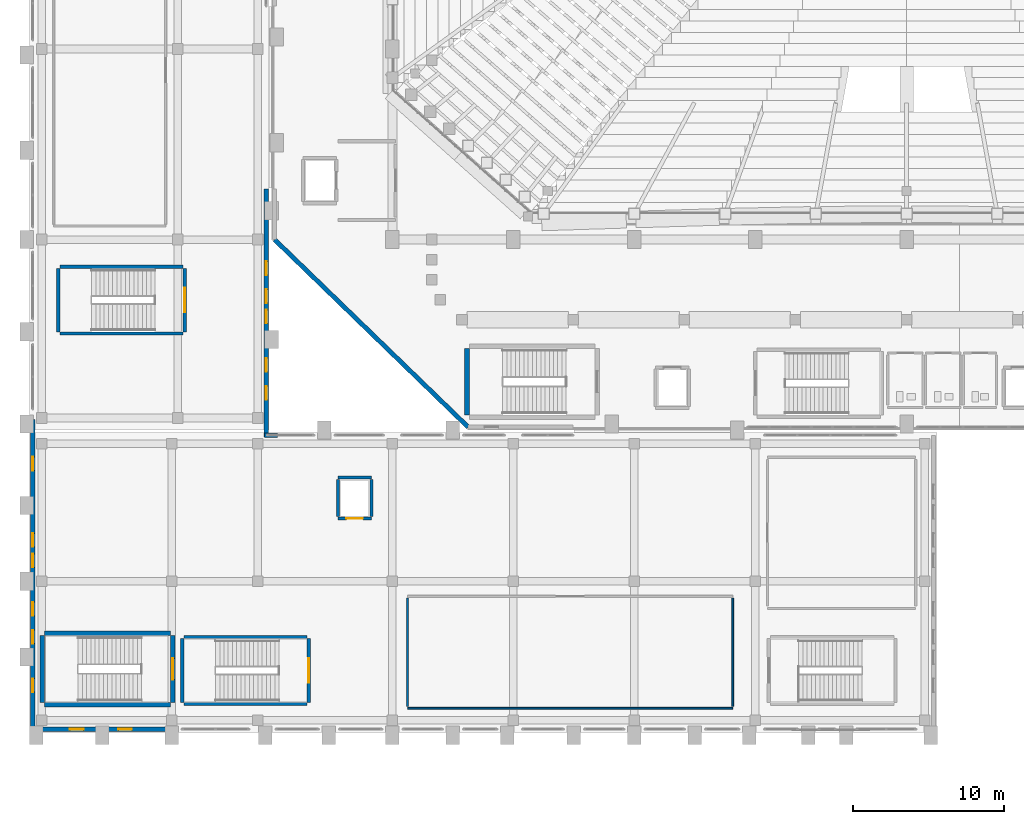
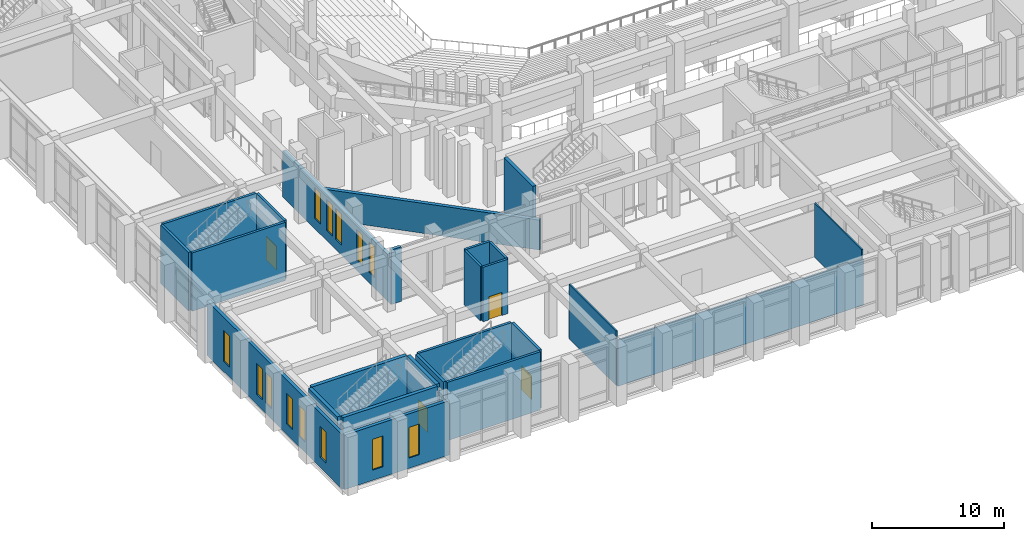
# One storey, part 124 of 159: 25 walls, 13 windows, 4 doors, 17 openings.
"""IFC4 building model written with IfcOpenShell, lengths in metres."""

from ifc_helpers import new_model, si_unit, derived_unit, direction, frame, frame_2d, origin, place, context, subcontext, project, spatial, rectangle, extrude, material, layer, layer_set, type_object, element, fill, save


model = new_model("IFC4")

# Units and contexts
model_context = context("Model", 3, precision=1e-05, world=origin(), true_north=direction((0.0, 1.0)))
body_context = subcontext(model_context, "Body", "Model", "MODEL_VIEW")
ifc_project = project(units=[si_unit("LENGTHUNIT", "METRE"), si_unit("AREAUNIT", "SQUARE_METRE"), si_unit("VOLUMEUNIT", "CUBIC_METRE"), si_unit("PLANEANGLEUNIT", "RADIAN"), si_unit("MASSUNIT", "GRAM", prefix="KILO"), derived_unit("THERMALTRANSMITTANCEUNIT", [(si_unit("MASSUNIT", "GRAM", prefix="KILO"), 1), (si_unit("TIMEUNIT", "SECOND"), -3), (si_unit("THERMODYNAMICTEMPERATUREUNIT", "KELVIN"), -1)])], contexts=[model_context])

# Site, building, storey
site_placement = place(None, origin())
site = spatial("IfcSite", under=ifc_project, at=site_placement, CompositionType="ELEMENT")
building_placement = place(site_placement, origin())
building = spatial("IfcBuilding", under=site, at=building_placement, Name="Valcora Ridge Arena", CompositionType="ELEMENT")
storey_placement = place(building_placement, frame((0.0, 0.0, 6.0)))
storey = spatial("IfcBuildingStorey", under=building, at=storey_placement, Name="L01", CompositionType="ELEMENT", Elevation=6.0)

# Wall, openings, windows
ifc_material_1 = material(Name="Bush-hammered Andean travertine on concrete backup C40/50", Category="masonry")
ifc_layer_1 = layer(ifc_material_1, 0.280029296875, Name="Bush-hammered Andean travertine on concrete backup C40/50")
ifc_layer_set_1 = layer_set([ifc_layer_1], Name="Bush-hammered Andean travertine on concrete backup C40/50")
wall_type_1 = type_object("IfcWallType", Name="TY-WALL-EW-TRV-28-43", PredefinedType="STANDARD", material=ifc_layer_set_1)
wall_1_placement = place(storey_placement, frame((15.64990234375, 19.550048828125, 0.0), z_axis=(0.0, 0.0, 1.0), x_axis=(0.0, 1.0, 0.0)))
wall_1 = element("IfcWall", 1, at=wall_1_placement, inside=storey, type_object=wall_type_1, Name="EW-TRV-28-43 WAL-EW-0083", PredefinedType="STANDARD", context=body_context, shape_type="SweptSolid", body=[
    extrude(rectangle(XDim=16.39990234375, YDim=0.280029296875, at=frame_2d((8.199951171875, 0.0))), origin(), (0.0, 0.0, 1.0), 4.2900390625),
])
opening_1_placement = place(wall_1_placement, frame((2.449951171875, 0.0, 0.949951171875)))
opening_1 = element("IfcOpeningElement", 2, at=opening_1_placement, cuts=wall_1, Name="Opening W-GLAN-90X285", PredefinedType="OPENING", context=body_context, shape_type="SweptSolid", body=[
    extrude(rectangle(XDim=0.89990234375, YDim=2.85009765625, at=frame_2d((0.449951171875, 1.425048828125))), frame((0.0, 0.14990234375, 0.0), z_axis=(0.0, -1.0, 0.0), x_axis=(1.0, 0.0, 0.0)), (0.0, 0.0, 1.0), 0.300048828125),
])
opening_2_placement = place(wall_1_placement, frame((4.300048828125, 0.0, 0.949951171875)))
opening_2 = element("IfcOpeningElement", 3, at=opening_2_placement, cuts=wall_1, Name="Opening W-GLAN-90X285", PredefinedType="OPENING", context=body_context, shape_type="SweptSolid", body=[
    extrude(rectangle(XDim=0.89990234375, YDim=2.85009765625, at=frame_2d((0.449951171875, 1.425048828125))), frame((0.0, 0.14990234375, 0.0), z_axis=(0.0, -1.0, 0.0), x_axis=(1.0, 0.0, 0.0)), (0.0, 0.0, 1.0), 0.300048828125),
])
opening_3_placement = place(wall_1_placement, frame((7.5, 0.0, 0.949951171875)))
opening_3 = element("IfcOpeningElement", 4, at=opening_3_placement, cuts=wall_1, Name="Opening W-GLAN-90X285", PredefinedType="OPENING", context=body_context, shape_type="SweptSolid", body=[
    extrude(rectangle(XDim=0.89990234375, YDim=2.85009765625, at=frame_2d((0.449951171875, 1.425048828125))), frame((0.0, 0.14990234375, 0.0), z_axis=(0.0, -1.0, 0.0), x_axis=(1.0, 0.0, 0.0)), (0.0, 0.0, 1.0), 0.300048828125),
])
opening_4_placement = place(wall_1_placement, frame((8.85009765625, 0.0, 0.949951171875)))
opening_4 = element("IfcOpeningElement", 5, at=opening_4_placement, cuts=wall_1, Name="Opening W-GLAN-90X285", PredefinedType="OPENING", context=body_context, shape_type="SweptSolid", body=[
    extrude(rectangle(XDim=0.89990234375, YDim=2.85009765625, at=frame_2d((0.449951171875, 1.425048828125))), frame((0.0, 0.14990234375, 0.0), z_axis=(0.0, -1.0, 0.0), x_axis=(1.0, 0.0, 0.0)), (0.0, 0.0, 1.0), 0.300048828125),
])
opening_5_placement = place(wall_1_placement, frame((10.699951171875, 0.0, 0.949951171875)))
opening_5 = element("IfcOpeningElement", 6, at=opening_5_placement, cuts=wall_1, Name="Opening W-GLAN-90X285", PredefinedType="OPENING", context=body_context, shape_type="SweptSolid", body=[
    extrude(rectangle(XDim=0.89990234375, YDim=2.85009765625, at=frame_2d((0.449951171875, 1.425048828125))), frame((0.0, 0.14990234375, 0.0), z_axis=(0.0, -1.0, 0.0), x_axis=(1.0, 0.0, 0.0)), (0.0, 0.0, 1.0), 0.300048828125),
])
ifc_material_2 = material(Name="Low-iron solar-control double glazing SHGC 0.28", Category="glass")
window_type = type_object("IfcWindowType", Name="TY-WINDOW-W-GLAN-90X285", PartitioningType="DOUBLE_PANEL_VERTICAL", PredefinedType="WINDOW", material=ifc_material_2)
window_1_placement = place(opening_1_placement, origin())
window_1 = element("IfcWindow", 7, at=window_1_placement, inside=storey, type_object=window_type, Name="W-GLAN-90X285 WIN-EX-0244", OverallHeight=2.85009765625, OverallWidth=0.89990234375, PartitioningType="DOUBLE_PANEL_VERTICAL", PredefinedType="WINDOW", context=body_context, shape_type="SweptSolid", body=[
    extrude(rectangle(XDim=0.89990234375, YDim=2.85009765625, at=frame_2d((0.449951171875, 1.425048828125))), frame((0.0, 0.030029296875, 0.0), z_axis=(0.0, -1.0, 0.0), x_axis=(1.0, 0.0, 0.0)), (0.0, 0.0, 1.0), 0.06005859375),
])
fill(opening_1, window_1)
window_2_placement = place(opening_2_placement, origin())
window_2 = element("IfcWindow", 8, at=window_2_placement, inside=storey, type_object=window_type, Name="W-GLAN-90X285 WIN-EX-0245", OverallHeight=2.85009765625, OverallWidth=0.89990234375, PartitioningType="DOUBLE_PANEL_VERTICAL", PredefinedType="WINDOW", context=body_context, shape_type="SweptSolid", body=[
    extrude(rectangle(XDim=0.89990234375, YDim=2.85009765625, at=frame_2d((0.449951171875, 1.425048828125))), frame((0.0, 0.030029296875, 0.0), z_axis=(0.0, -1.0, 0.0), x_axis=(1.0, 0.0, 0.0)), (0.0, 0.0, 1.0), 0.06005859375),
])
fill(opening_2, window_2)
window_3_placement = place(opening_3_placement, origin())
window_3 = element("IfcWindow", 9, at=window_3_placement, inside=storey, type_object=window_type, Name="W-GLAN-90X285 WIN-EX-0246", OverallHeight=2.85009765625, OverallWidth=0.89990234375, PartitioningType="DOUBLE_PANEL_VERTICAL", PredefinedType="WINDOW", context=body_context, shape_type="SweptSolid", body=[
    extrude(rectangle(XDim=0.89990234375, YDim=2.85009765625, at=frame_2d((0.449951171875, 1.425048828125))), frame((0.0, 0.030029296875, 0.0), z_axis=(0.0, -1.0, 0.0), x_axis=(1.0, 0.0, 0.0)), (0.0, 0.0, 1.0), 0.06005859375),
])
fill(opening_3, window_3)
window_4_placement = place(opening_4_placement, origin())
window_4 = element("IfcWindow", 10, at=window_4_placement, inside=storey, type_object=window_type, Name="W-GLAN-90X285 WIN-EX-0247", OverallHeight=2.85009765625, OverallWidth=0.89990234375, PartitioningType="DOUBLE_PANEL_VERTICAL", PredefinedType="WINDOW", context=body_context, shape_type="SweptSolid", body=[
    extrude(rectangle(XDim=0.89990234375, YDim=2.85009765625, at=frame_2d((0.449951171875, 1.425048828125))), frame((0.0, 0.030029296875, 0.0), z_axis=(0.0, -1.0, 0.0), x_axis=(1.0, 0.0, 0.0)), (0.0, 0.0, 1.0), 0.06005859375),
])
fill(opening_4, window_4)
window_5_placement = place(opening_5_placement, origin())
window_5 = element("IfcWindow", 11, at=window_5_placement, inside=storey, type_object=window_type, Name="W-GLAN-90X285 WIN-EX-0248", OverallHeight=2.85009765625, OverallWidth=0.89990234375, PartitioningType="DOUBLE_PANEL_VERTICAL", PredefinedType="WINDOW", context=body_context, shape_type="SweptSolid", body=[
    extrude(rectangle(XDim=0.89990234375, YDim=2.85009765625, at=frame_2d((0.449951171875, 1.425048828125))), frame((0.0, 0.030029296875, 0.0), z_axis=(0.0, -1.0, 0.0), x_axis=(1.0, 0.0, 0.0)), (0.0, 0.0, 1.0), 0.06005859375),
])
fill(opening_5, window_5)

ifc_layer_2 = layer(ifc_material_1, 0.280029296875, Name="Bush-hammered Andean travertine on concrete backup C40/50")
ifc_layer_set_2 = layer_set([ifc_layer_2], Name="Bush-hammered Andean travertine on concrete backup C40/50")
wall_type_2 = type_object("IfcWallType", Name="TY-WALL-EW-TRV-28-50", PredefinedType="STANDARD", material=ifc_layer_set_2)
wall_2_placement = place(storey_placement, frame((0.219970703125, 0.219970703125, 0.0), z_axis=(0.0, 0.0, 1.0), x_axis=(1.0, 0.0, 0.0)))
wall_2 = element("IfcWall", 12, at=wall_2_placement, inside=storey, type_object=wall_type_2, Name="EW-TRV-28-50 WAL-EW-0078", PredefinedType="STANDARD", context=body_context, shape_type="SweptSolid", body=[
    extrude(rectangle(XDim=9.179931640625, YDim=0.280029296875, at=frame_2d((4.58984375, 0.0))), origin(), (0.0, 0.0, 1.0), 5.0400390625),
])
opening_6_placement = place(wall_2_placement, frame((2.449951171875, 0.0, 0.949951171875)))
opening_6 = element("IfcOpeningElement", 13, at=opening_6_placement, cuts=wall_2, Name="Opening W-GLAN-90X285", PredefinedType="OPENING", context=body_context, shape_type="SweptSolid", body=[
    extrude(rectangle(XDim=0.89990234375, YDim=2.85009765625, at=frame_2d((0.449951171875, 1.425048828125))), frame((0.0, 0.14990234375, 0.0), z_axis=(0.0, -1.0, 0.0), x_axis=(1.0, 0.0, 0.0)), (0.0, 0.0, 1.0), 0.300048828125),
])
opening_7_placement = place(wall_2_placement, frame((5.64990234375, 0.0, 0.949951171875)))
opening_7 = element("IfcOpeningElement", 14, at=opening_7_placement, cuts=wall_2, Name="Opening W-GLAN-90X285", PredefinedType="OPENING", context=body_context, shape_type="SweptSolid", body=[
    extrude(rectangle(XDim=0.89990234375, YDim=2.85009765625, at=frame_2d((0.449951171875, 1.425048828125))), frame((0.0, 0.14990234375, 0.0), z_axis=(0.0, -1.0, 0.0), x_axis=(1.0, 0.0, 0.0)), (0.0, 0.0, 1.0), 0.300048828125),
])
window_6_placement = place(opening_6_placement, origin())
window_6 = element("IfcWindow", 15, at=window_6_placement, inside=storey, type_object=window_type, Name="W-GLAN-90X285 WIN-EX-0212", OverallHeight=2.85009765625, OverallWidth=0.89990234375, PartitioningType="DOUBLE_PANEL_VERTICAL", PredefinedType="WINDOW", context=body_context, shape_type="SweptSolid", body=[
    extrude(rectangle(XDim=0.89990234375, YDim=2.85009765625, at=frame_2d((0.449951171875, 1.425048828125))), frame((0.0, 0.030029296875, 0.0), z_axis=(0.0, -1.0, 0.0), x_axis=(1.0, 0.0, 0.0)), (0.0, 0.0, 1.0), 0.06005859375),
])
fill(opening_6, window_6)
window_7_placement = place(opening_7_placement, origin())
window_7 = element("IfcWindow", 16, at=window_7_placement, inside=storey, type_object=window_type, Name="W-GLAN-90X285 WIN-EX-0213", OverallHeight=2.85009765625, OverallWidth=0.89990234375, PartitioningType="DOUBLE_PANEL_VERTICAL", PredefinedType="WINDOW", context=body_context, shape_type="SweptSolid", body=[
    extrude(rectangle(XDim=0.89990234375, YDim=2.85009765625, at=frame_2d((0.449951171875, 1.425048828125))), frame((0.0, 0.030029296875, 0.0), z_axis=(0.0, -1.0, 0.0), x_axis=(1.0, 0.0, 0.0)), (0.0, 0.0, 1.0), 0.06005859375),
])
fill(opening_7, window_7)

wall_3_placement = place(storey_placement, frame((0.219970703125, 0.219970703125, 0.0), z_axis=(0.0, 0.0, 1.0), x_axis=(0.0, 1.0, 0.0)))
wall_3 = element("IfcWall", 17, at=wall_3_placement, inside=storey, type_object=wall_type_2, Name="EW-TRV-28-50 WAL-EW-0080", PredefinedType="STANDARD", context=body_context, shape_type="SweptSolid", body=[
    extrude(rectangle(XDim=20.47998046875, YDim=0.280029296875, at=frame_2d((10.239990234375, 0.0))), origin(), (0.0, 0.0, 1.0), 5.0400390625),
])
opening_8_placement = place(wall_3_placement, frame((2.449951171875, 0.0, 0.949951171875)))
opening_8 = element("IfcOpeningElement", 18, at=opening_8_placement, cuts=wall_3, Name="Opening W-GLAN-90X285", PredefinedType="OPENING", context=body_context, shape_type="SweptSolid", body=[
    extrude(rectangle(XDim=0.89990234375, YDim=2.85009765625, at=frame_2d((0.449951171875, 1.425048828125))), frame((0.0, 0.14990234375, 0.0), z_axis=(0.0, -1.0, 0.0), x_axis=(1.0, 0.0, 0.0)), (0.0, 0.0, 1.0), 0.300048828125),
])
opening_9_placement = place(wall_3_placement, frame((5.64990234375, 0.0, 0.949951171875)))
opening_9 = element("IfcOpeningElement", 19, at=opening_9_placement, cuts=wall_3, Name="Opening W-GLAN-90X285", PredefinedType="OPENING", context=body_context, shape_type="SweptSolid", body=[
    extrude(rectangle(XDim=0.89990234375, YDim=2.85009765625, at=frame_2d((0.449951171875, 1.425048828125))), frame((0.0, 0.14990234375, 0.0), z_axis=(0.0, -1.0, 0.0), x_axis=(1.0, 0.0, 0.0)), (0.0, 0.0, 1.0), 0.300048828125),
])
opening_10_placement = place(wall_3_placement, frame((7.5, 0.0, 0.949951171875)))
opening_10 = element("IfcOpeningElement", 20, at=opening_10_placement, cuts=wall_3, Name="Opening W-GLAN-90X285", PredefinedType="OPENING", context=body_context, shape_type="SweptSolid", body=[
    extrude(rectangle(XDim=0.89990234375, YDim=2.85009765625, at=frame_2d((0.449951171875, 1.425048828125))), frame((0.0, 0.14990234375, 0.0), z_axis=(0.0, -1.0, 0.0), x_axis=(1.0, 0.0, 0.0)), (0.0, 0.0, 1.0), 0.300048828125),
])
opening_11_placement = place(wall_3_placement, frame((10.699951171875, 0.0, 0.949951171875)))
opening_11 = element("IfcOpeningElement", 21, at=opening_11_placement, cuts=wall_3, Name="Opening W-GLAN-90X285", PredefinedType="OPENING", context=body_context, shape_type="SweptSolid", body=[
    extrude(rectangle(XDim=0.89990234375, YDim=2.85009765625, at=frame_2d((0.449951171875, 1.425048828125))), frame((0.0, 0.14990234375, 0.0), z_axis=(0.0, -1.0, 0.0), x_axis=(1.0, 0.0, 0.0)), (0.0, 0.0, 1.0), 0.300048828125),
])
opening_12_placement = place(wall_3_placement, frame((12.050048828125, 0.0, 0.949951171875)))
opening_12 = element("IfcOpeningElement", 22, at=opening_12_placement, cuts=wall_3, Name="Opening W-GLAN-90X285", PredefinedType="OPENING", context=body_context, shape_type="SweptSolid", body=[
    extrude(rectangle(XDim=0.89990234375, YDim=2.85009765625, at=frame_2d((0.449951171875, 1.425048828125))), frame((0.0, 0.14990234375, 0.0), z_axis=(0.0, -1.0, 0.0), x_axis=(1.0, 0.0, 0.0)), (0.0, 0.0, 1.0), 0.300048828125),
])
opening_13_placement = place(wall_3_placement, frame((17.10009765625, 0.0, 0.949951171875)))
opening_13 = element("IfcOpeningElement", 23, at=opening_13_placement, cuts=wall_3, Name="Opening W-GLAN-90X285", PredefinedType="OPENING", context=body_context, shape_type="SweptSolid", body=[
    extrude(rectangle(XDim=0.89990234375, YDim=2.85009765625, at=frame_2d((0.449951171875, 1.425048828125))), frame((0.0, 0.14990234375, 0.0), z_axis=(0.0, -1.0, 0.0), x_axis=(1.0, 0.0, 0.0)), (0.0, 0.0, 1.0), 0.300048828125),
])
window_8_placement = place(opening_8_placement, origin())
window_8 = element("IfcWindow", 24, at=window_8_placement, inside=storey, type_object=window_type, Name="W-GLAN-90X285 WIN-EX-0222", OverallHeight=2.85009765625, OverallWidth=0.89990234375, PartitioningType="DOUBLE_PANEL_VERTICAL", PredefinedType="WINDOW", context=body_context, shape_type="SweptSolid", body=[
    extrude(rectangle(XDim=0.89990234375, YDim=2.85009765625, at=frame_2d((0.449951171875, 1.425048828125))), frame((0.0, 0.030029296875, 0.0), z_axis=(0.0, -1.0, 0.0), x_axis=(1.0, 0.0, 0.0)), (0.0, 0.0, 1.0), 0.06005859375),
])
fill(opening_8, window_8)
window_9_placement = place(opening_9_placement, origin())
window_9 = element("IfcWindow", 25, at=window_9_placement, inside=storey, type_object=window_type, Name="W-GLAN-90X285 WIN-EX-0223", OverallHeight=2.85009765625, OverallWidth=0.89990234375, PartitioningType="DOUBLE_PANEL_VERTICAL", PredefinedType="WINDOW", context=body_context, shape_type="SweptSolid", body=[
    extrude(rectangle(XDim=0.89990234375, YDim=2.85009765625, at=frame_2d((0.449951171875, 1.425048828125))), frame((0.0, 0.030029296875, 0.0), z_axis=(0.0, -1.0, 0.0), x_axis=(1.0, 0.0, 0.0)), (0.0, 0.0, 1.0), 0.06005859375),
])
fill(opening_9, window_9)
window_10_placement = place(opening_10_placement, origin())
window_10 = element("IfcWindow", 26, at=window_10_placement, inside=storey, type_object=window_type, Name="W-GLAN-90X285 WIN-EX-0224", OverallHeight=2.85009765625, OverallWidth=0.89990234375, PartitioningType="DOUBLE_PANEL_VERTICAL", PredefinedType="WINDOW", context=body_context, shape_type="SweptSolid", body=[
    extrude(rectangle(XDim=0.89990234375, YDim=2.85009765625, at=frame_2d((0.449951171875, 1.425048828125))), frame((0.0, 0.030029296875, 0.0), z_axis=(0.0, -1.0, 0.0), x_axis=(1.0, 0.0, 0.0)), (0.0, 0.0, 1.0), 0.06005859375),
])
fill(opening_10, window_10)
window_11_placement = place(opening_11_placement, origin())
window_11 = element("IfcWindow", 27, at=window_11_placement, inside=storey, type_object=window_type, Name="W-GLAN-90X285 WIN-EX-0225", OverallHeight=2.85009765625, OverallWidth=0.89990234375, PartitioningType="DOUBLE_PANEL_VERTICAL", PredefinedType="WINDOW", context=body_context, shape_type="SweptSolid", body=[
    extrude(rectangle(XDim=0.89990234375, YDim=2.85009765625, at=frame_2d((0.449951171875, 1.425048828125))), frame((0.0, 0.030029296875, 0.0), z_axis=(0.0, -1.0, 0.0), x_axis=(1.0, 0.0, 0.0)), (0.0, 0.0, 1.0), 0.06005859375),
])
fill(opening_11, window_11)
window_12_placement = place(opening_12_placement, origin())
window_12 = element("IfcWindow", 28, at=window_12_placement, inside=storey, type_object=window_type, Name="W-GLAN-90X285 WIN-EX-0226", OverallHeight=2.85009765625, OverallWidth=0.89990234375, PartitioningType="DOUBLE_PANEL_VERTICAL", PredefinedType="WINDOW", context=body_context, shape_type="SweptSolid", body=[
    extrude(rectangle(XDim=0.89990234375, YDim=2.85009765625, at=frame_2d((0.449951171875, 1.425048828125))), frame((0.0, 0.030029296875, 0.0), z_axis=(0.0, -1.0, 0.0), x_axis=(1.0, 0.0, 0.0)), (0.0, 0.0, 1.0), 0.06005859375),
])
fill(opening_12, window_12)
window_13_placement = place(opening_13_placement, origin())
window_13 = element("IfcWindow", 29, at=window_13_placement, inside=storey, type_object=window_type, Name="W-GLAN-90X285 WIN-EX-0227", OverallHeight=2.85009765625, OverallWidth=0.89990234375, PartitioningType="DOUBLE_PANEL_VERTICAL", PredefinedType="WINDOW", context=body_context, shape_type="SweptSolid", body=[
    extrude(rectangle(XDim=0.89990234375, YDim=2.85009765625, at=frame_2d((0.449951171875, 1.425048828125))), frame((0.0, 0.030029296875, 0.0), z_axis=(0.0, -1.0, 0.0), x_axis=(1.0, 0.0, 0.0)), (0.0, 0.0, 1.0), 0.06005859375),
])
fill(opening_13, window_13)

# Walls
wall_4_placement = place(storey_placement, frame((15.550048828125, 19.64990234375, 0.0), z_axis=(0.0, 0.0, 1.0), x_axis=(1.0, 0.0, 0.0)))
element("IfcWall", 30, at=wall_4_placement, inside=storey, type_object=wall_type_2, Name="EW-TRV-28-50 WAL-EW-0084", PredefinedType="STANDARD", context=body_context, shape_type="SweptSolid", body=[
    extrude(rectangle(XDim=0.849853515625, YDim=0.280029296875, at=frame_2d((0.4248046875, 0.0))), origin(), (0.0, 0.0, 1.0), 5.0400390625),
])
ifc_layer_3 = layer(ifc_material_1, 0.300048828125, Name="Bush-hammered Andean travertine on concrete backup C40/50")
ifc_layer_set_3 = layer_set([ifc_layer_3], Name="Bush-hammered Andean travertine on concrete backup C40/50")
wall_type_3 = type_object("IfcWallType", Name="TY-WALL-EW-TRV-30-28", PredefinedType="STANDARD", material=ifc_layer_set_3)
wall_5_placement = place(storey_placement, frame((16.199951171875, 32.60009765625, 0.0), z_axis=(0.0, 0.0, 1.0), x_axis=(0.718237441527, -0.695798086796, 0.0)))
element("IfcWall", 31, at=wall_5_placement, inside=storey, type_object=wall_type_3, Name="EW-TRV-30-28 WAL-EW-0040", PredefinedType="STANDARD", context=body_context, shape_type="SweptSolid", body=[
    extrude(rectangle(XDim=17.821533203125, YDim=0.300048828125, at=frame_2d((8.91064453125, 0.0))), origin(), (0.0, 0.0, 1.0), 2.77490234375),
])
ifc_material_3 = material(Name="Acoustic metal-stud gypsum partition 120 mm")
ifc_layer_4 = layer(ifc_material_3, 0.1201171875, Name="Acoustic metal-stud gypsum partition 120 mm")
ifc_layer_set_4 = layer_set([ifc_layer_4], Name="Acoustic metal-stud gypsum partition 120 mm")
wall_type_4 = type_object("IfcWallType", Name="TY-WALL-IW-PART-120", PredefinedType="PARTITIONING", material=ifc_layer_set_4)
wall_6_placement = place(storey_placement, frame((25.0, 1.60009765625, 0.0), z_axis=(0.0, 0.0, 1.0), x_axis=(1.0, 0.0, 0.0)))
element("IfcWall", 32, at=wall_6_placement, inside=storey, type_object=wall_type_4, Name="IW-PART-120 WAL-IN-0317", PredefinedType="PARTITIONING", context=body_context, shape_type="SweptSolid", body=[
    extrude(rectangle(XDim=21.5, YDim=0.1201171875, at=frame_2d((10.75, 0.0))), origin(), (0.0, 0.0, 1.0), 4.2900390625),
])
for number, where, z_axis, x_axis, name in (
    (33, (25.0, 1.719970703125, 0.0), (0.0, 0.0, 1.0), (0.0, 1.0, 0.0), "IW-PART-120 WAL-IN-0319"),
    (34, (46.5, 1.719970703125, 0.0), (0.0, 0.0, 1.0), (0.0, 1.0, 0.0), "IW-PART-120 WAL-IN-0320"),
):
    element("IfcWall", number, at=place(storey_placement, frame(where, z_axis=z_axis, x_axis=x_axis)), inside=storey, type_object=wall_type_4, Name=name, PredefinedType="PARTITIONING", context=body_context, shape_type="SweptSolid", body=[
        extrude(rectangle(XDim=7.159912109375, YDim=0.1201171875, at=frame_2d((3.580078125, 0.0))), origin(), (0.0, 0.0, 1.0), 5.0400390625),
    ])

# Wall, opening, door
ifc_material_4 = material(Name="Concrete C40/50", Category="concrete")
ifc_layer_5 = layer(ifc_material_4, 0.199951171875, Name="Concrete C40/50")
ifc_layer_set_5 = layer_set([ifc_layer_5], Name="Concrete C40/50")
wall_type_5 = type_object("IfcWallType", Name="TY-WALL-IW-SHF-200", PredefinedType="STANDARD", material=ifc_layer_set_5)
wall_7_placement = place(storey_placement, frame((20.39990234375, 14.14990234375, 0.0), z_axis=(0.0, 0.0, 1.0), x_axis=(1.0, 0.0, 0.0)))
wall_7 = element("IfcWall", 35, at=wall_7_placement, inside=storey, type_object=wall_type_5, Name="IW-SHF-200 WAL-SH-0177", PredefinedType="STANDARD", context=body_context, shape_type="SweptSolid", body=[
    extrude(rectangle(XDim=2.2001953125, YDim=0.199951171875, at=frame_2d((1.10009765625, 0.0))), origin(), (0.0, 0.0, 1.0), 5.0400390625),
])
opening_14_placement = place(wall_7_placement, frame((0.550048828125, 0.0, 0.0)))
opening_14 = element("IfcOpeningElement", 36, at=opening_14_placement, cuts=wall_7, Name="Opening LD-PAX", PredefinedType="OPENING", context=body_context, shape_type="SweptSolid", body=[
    extrude(rectangle(XDim=1.10009765625, YDim=2.14990234375, at=frame_2d((0.550048828125, 1.074951171875))), frame((0.0, 0.10986328125, 0.0), z_axis=(0.0, -1.0, 0.0), x_axis=(1.0, 0.0, 0.0)), (0.0, 0.0, 1.0), 0.219970703125),
])
ifc_material_5 = material(Name="Insulated fire-rated hollow metal steel", Category="steel")
door_type_1 = type_object("IfcDoorType", Name="TY-DOOR-LD-PAX", OperationType="NOTDEFINED", PredefinedType="DOOR", material=ifc_material_5)
door_1_placement = place(opening_14_placement, origin())
door_1 = element("IfcDoor", 37, at=door_1_placement, inside=storey, type_object=door_type_1, Name="CL1 Landing Door L01", OperationType="SLIDING_TO_LEFT", OverallHeight=2.14990234375, OverallWidth=1.10009765625, PredefinedType="DOOR", context=body_context, shape_type="SweptSolid", body=[
    extrude(rectangle(XDim=1.10009765625, YDim=2.14990234375, at=frame_2d((0.550048828125, 1.074951171875))), frame((0.0, 0.02490234375, 0.0), z_axis=(0.0, -1.0, 0.0), x_axis=(1.0, 0.0, 0.0)), (0.0, 0.0, 1.0), 0.050048828125),
])
fill(opening_14, door_1)

# Walls
wall_8_placement = place(storey_placement, frame((20.39990234375, 16.85009765625, 0.0), z_axis=(0.0, 0.0, 1.0), x_axis=(1.0, 0.0, 0.0)))
element("IfcWall", 38, at=wall_8_placement, inside=storey, type_object=wall_type_5, Name="IW-SHF-200 WAL-SH-0178", PredefinedType="STANDARD", context=body_context, shape_type="SweptSolid", body=[
    extrude(rectangle(XDim=2.2001953125, YDim=0.199951171875, at=frame_2d((1.10009765625, 0.0))), origin(), (0.0, 0.0, 1.0), 5.0400390625),
])
for number, where, z_axis, x_axis, name in (
    (39, (20.39990234375, 14.27001953125, 0.0), (0.0, 0.0, 1.0), (0.0, 1.0, 0.0), "IW-SHF-200 WAL-SH-0179"),
    (40, (22.60009765625, 14.27001953125, 0.0), (0.0, 0.0, 1.0), (0.0, 1.0, 0.0), "IW-SHF-200 WAL-SH-0180"),
):
    element("IfcWall", number, at=place(storey_placement, frame(where, z_axis=z_axis, x_axis=x_axis)), inside=storey, type_object=wall_type_5, Name=name, PredefinedType="STANDARD", context=body_context, shape_type="SweptSolid", body=[
        extrude(rectangle(XDim=2.4599609375, YDim=0.199951171875, at=frame_2d((1.22998046875, 0.0))), origin(), (0.0, 0.0, 1.0), 5.0400390625),
    ])
ifc_material_6 = material(Name="Concrete C45/55", Category="concrete")
ifc_layer_6 = layer(ifc_material_6, 0.300048828125, Name="Concrete C45/55")
ifc_layer_set_6 = layer_set([ifc_layer_6], Name="Concrete C45/55")
wall_type_6 = type_object("IfcWallType", Name="TY-WALL-SW-C300-L", PredefinedType="SHEAR", material=ifc_layer_set_6)
for number, where, z_axis, x_axis, name in (
    (41, (1.0, 1.85009765625, 0.0), (0.0, 0.0, 1.0), (1.0, 0.0, 0.0), "SW-C300-L WAL-CR-0149"),
    (42, (1.0, 6.550048828125, 0.0), (0.0, 0.0, 1.0), (1.0, 0.0, 0.0), "SW-C300-L WAL-CR-0150"),
):
    element("IfcWall", number, at=place(storey_placement, frame(where, z_axis=z_axis, x_axis=x_axis)), inside=storey, type_object=wall_type_6, Name=name, PredefinedType="SHEAR", context=body_context, shape_type="SweptSolid", body=[
        extrude(rectangle(XDim=8.320068359375, YDim=0.300048828125, at=frame_2d((4.16015625, 0.0))), origin(), (0.0, 0.0, 1.0), 5.39990234375),
    ])
ifc_layer_7 = layer(ifc_material_6, 0.300048828125, Name="Concrete C45/55")
ifc_layer_set_7 = layer_set([ifc_layer_7], Name="Concrete C45/55")
wall_type_7 = type_object("IfcWallType", Name="TY-WALL-SW-C300-S", PredefinedType="SHEAR", material=ifc_layer_set_7)
for number, where, z_axis, x_axis, name in (
    (43, (28.929931640625, 21.0, 0.0), (0.0, 0.0, 1.0), (0.0, 1.0, 0.0), "SW-C300-S WAL-CR-0011"),
    (44, (0.85009765625, 2.0, 0.0), (0.0, 0.0, 1.0), (0.0, 1.0, 0.0), "SW-C300-S WAL-CR-0151"),
):
    element("IfcWall", number, at=place(storey_placement, frame(where, z_axis=z_axis, x_axis=x_axis)), inside=storey, type_object=wall_type_7, Name=name, PredefinedType="SHEAR", context=body_context, shape_type="SweptSolid", body=[
        extrude(rectangle(XDim=4.39990234375, YDim=0.300048828125, at=frame_2d((2.199951171875, 0.0))), origin(), (0.0, 0.0, 1.0), 5.39990234375),
    ])

# Wall, opening, door
wall_9_placement = place(storey_placement, frame((9.469970703125, 2.0, 0.0), z_axis=(0.0, 0.0, 1.0), x_axis=(0.0, 1.0, 0.0)))
wall_9 = element("IfcWall", 45, at=wall_9_placement, inside=storey, type_object=wall_type_7, Name="SW-C300-S WAL-CR-0152", PredefinedType="SHEAR", context=body_context, shape_type="SweptSolid", body=[
    extrude(rectangle(XDim=4.39990234375, YDim=0.300048828125, at=frame_2d((2.199951171875, 0.0))), origin(), (0.0, 0.0, 1.0), 5.39990234375),
])
opening_15_placement = place(wall_9_placement, frame((1.5, 0.0, 0.0)))
opening_15 = element("IfcOpeningElement", 46, at=opening_15_placement, cuts=wall_9, Name="Opening FD-01", PredefinedType="OPENING", context=body_context, shape_type="SweptSolid", body=[
    extrude(rectangle(XDim=1.39990234375, YDim=2.199951171875, at=frame_2d((0.699951171875, 1.10009765625))), frame((0.0, 0.159912109375, 0.0), z_axis=(0.0, -1.0, 0.0), x_axis=(1.0, 0.0, 0.0)), (0.0, 0.0, 1.0), 0.320068359375),
])
ifc_material_7 = material(Name="Insulated fire-rated steel door leaf", Category="steel")
door_type_2 = type_object("IfcDoorType", Name="TY-DOOR-FD-01", OperationType="NOTDEFINED", PredefinedType="DOOR", material=ifc_material_7)
door_2_placement = place(opening_15_placement, origin())
door_2 = element("IfcDoor", 47, at=door_2_placement, inside=storey, type_object=door_type_2, Name="FD-01 DOR-ST-0038", OperationType="DOUBLE_DOOR_SINGLE_SWING", OverallHeight=2.199951171875, OverallWidth=1.39990234375, PredefinedType="DOOR", context=body_context, shape_type="SweptSolid", body=[
    extrude(rectangle(XDim=1.39990234375, YDim=2.199951171875, at=frame_2d((0.699951171875, 1.10009765625))), frame((0.0, 0.02490234375, 0.0), z_axis=(0.0, -1.0, 0.0), x_axis=(1.0, 0.0, 0.0)), (0.0, 0.0, 1.0), 0.050048828125),
])
fill(opening_15, door_2)

# Walls
ifc_material_8 = material(Name="Fire-resisting reinforced concrete enclosure C40/50 200 mm", Category="concrete")
ifc_layer_8 = layer(ifc_material_8, 0.219970703125, Name="Fire-resisting reinforced concrete enclosure C40/50 200 mm")
ifc_layer_set_8 = layer_set([ifc_layer_8], Name="Fire-resisting reinforced concrete enclosure C40/50 200 mm")
wall_type_8 = type_object("IfcWallType", Name="TY-WALL-SW-ES-220", PredefinedType="SHEAR", material=ifc_layer_set_8)
for number, where, z_axis, x_axis, name in (
    (48, (10.199951171875, 1.889892578125, 0.0), (0.0, 0.0, 1.0), (1.0, 0.0, 0.0), "SW-ES-220 WAL-ES-0101"),
    (49, (10.199951171875, 6.31005859375, 0.0), (0.0, 0.0, 1.0), (1.0, 0.0, 0.0), "SW-ES-220 WAL-ES-0102"),
):
    element("IfcWall", number, at=place(storey_placement, frame(where, z_axis=z_axis, x_axis=x_axis)), inside=storey, type_object=wall_type_8, Name=name, PredefinedType="SHEAR", context=body_context, shape_type="SweptSolid", body=[
        extrude(rectangle(XDim=8.16015625, YDim=0.219970703125, at=frame_2d((4.080078125, 0.0))), origin(), (0.0, 0.0, 1.0), 5.39990234375),
    ])
wall_10_placement = place(storey_placement, frame((10.090087890625, 2.0, 0.0), z_axis=(0.0, 0.0, 1.0), x_axis=(0.0, 1.0, 0.0)))
element("IfcWall", 50, at=wall_10_placement, inside=storey, type_object=wall_type_8, Name="SW-ES-220 WAL-ES-0103", PredefinedType="SHEAR", context=body_context, shape_type="SweptSolid", body=[
    extrude(rectangle(XDim=4.199951171875, YDim=0.219970703125, at=frame_2d((2.10009765625, 0.0))), origin(), (0.0, 0.0, 1.0), 5.39990234375),
])

# Wall, opening, door
wall_11_placement = place(storey_placement, frame((18.469970703125, 2.0, 0.0), z_axis=(0.0, 0.0, 1.0), x_axis=(0.0, 1.0, 0.0)))
wall_11 = element("IfcWall", 51, at=wall_11_placement, inside=storey, type_object=wall_type_8, Name="SW-ES-220 WAL-ES-0104", PredefinedType="SHEAR", context=body_context, shape_type="SweptSolid", body=[
    extrude(rectangle(XDim=4.199951171875, YDim=0.219970703125, at=frame_2d((2.10009765625, 0.0))), origin(), (0.0, 0.0, 1.0), 5.39990234375),
])
opening_16_placement = place(wall_11_placement, frame((1.300048828125, 0.0, 0.0)))
opening_16 = element("IfcOpeningElement", 52, at=opening_16_placement, cuts=wall_11, Name="Opening FD-02", PredefinedType="OPENING", context=body_context, shape_type="SweptSolid", body=[
    extrude(rectangle(XDim=1.60009765625, YDim=2.199951171875, at=frame_2d((0.800048828125, 1.10009765625))), frame((0.0, 0.119873046875, 0.0), z_axis=(0.0, -1.0, 0.0), x_axis=(1.0, 0.0, 0.0)), (0.0, 0.0, 1.0), 0.239990234375),
])
door_type_3 = type_object("IfcDoorType", Name="TY-DOOR-FD-02", OperationType="NOTDEFINED", PredefinedType="DOOR", material=ifc_material_7)
door_3_placement = place(opening_16_placement, origin())
door_3 = element("IfcDoor", 53, at=door_3_placement, inside=storey, type_object=door_type_3, Name="FD-02 DOR-ES-0022", OperationType="DOUBLE_DOOR_SINGLE_SWING", OverallHeight=2.199951171875, OverallWidth=1.60009765625, PredefinedType="DOOR", context=body_context, shape_type="SweptSolid", body=[
    extrude(rectangle(XDim=1.60009765625, YDim=2.199951171875, at=frame_2d((0.800048828125, 1.10009765625))), frame((0.0, 0.02490234375, 0.0), z_axis=(0.0, -1.0, 0.0), x_axis=(1.0, 0.0, 0.0)), (0.0, 0.0, 1.0), 0.050048828125),
])
fill(opening_16, door_3)

# Walls
for number, where, z_axis, x_axis, name in (
    (54, (2.0, 26.389892578125, 0.0), (0.0, 0.0, 1.0), (1.0, 0.0, 0.0), "SW-ES-220 WAL-ES-0133"),
    (55, (2.0, 30.81005859375, 0.0), (0.0, 0.0, 1.0), (1.0, 0.0, 0.0), "SW-ES-220 WAL-ES-0134"),
):
    element("IfcWall", number, at=place(storey_placement, frame(where, z_axis=z_axis, x_axis=x_axis)), inside=storey, type_object=wall_type_8, Name=name, PredefinedType="SHEAR", context=body_context, shape_type="SweptSolid", body=[
        extrude(rectangle(XDim=8.159912109375, YDim=0.219970703125, at=frame_2d((4.080078125, 0.0))), origin(), (0.0, 0.0, 1.0), 5.39990234375),
    ])
wall_12_placement = place(storey_placement, frame((1.889892578125, 26.5, 0.0), z_axis=(0.0, 0.0, 1.0), x_axis=(0.0, 1.0, 0.0)))
element("IfcWall", 56, at=wall_12_placement, inside=storey, type_object=wall_type_8, Name="SW-ES-220 WAL-ES-0135", PredefinedType="SHEAR", context=body_context, shape_type="SweptSolid", body=[
    extrude(rectangle(XDim=4.199951171875, YDim=0.219970703125, at=frame_2d((2.10009765625, 0.0))), origin(), (0.0, 0.0, 1.0), 5.39990234375),
])

# Wall, opening, door
wall_13_placement = place(storey_placement, frame((10.27001953125, 26.5, 0.0), z_axis=(0.0, 0.0, 1.0), x_axis=(0.0, 1.0, 0.0)))
wall_13 = element("IfcWall", 57, at=wall_13_placement, inside=storey, type_object=wall_type_8, Name="SW-ES-220 WAL-ES-0136", PredefinedType="SHEAR", context=body_context, shape_type="SweptSolid", body=[
    extrude(rectangle(XDim=4.199951171875, YDim=0.219970703125, at=frame_2d((2.10009765625, 0.0))), origin(), (0.0, 0.0, 1.0), 5.39990234375),
])
opening_17_placement = place(wall_13_placement, frame((1.300048828125, 0.0, 0.0)))
opening_17 = element("IfcOpeningElement", 58, at=opening_17_placement, cuts=wall_13, Name="Opening FD-02", PredefinedType="OPENING", context=body_context, shape_type="SweptSolid", body=[
    extrude(rectangle(XDim=1.60009765625, YDim=2.199951171875, at=frame_2d((0.800048828125, 1.10009765625))), frame((0.0, 0.119873046875, 0.0), z_axis=(0.0, -1.0, 0.0), x_axis=(1.0, 0.0, 0.0)), (0.0, 0.0, 1.0), 0.239990234375),
])
door_4_placement = place(opening_17_placement, origin())
door_4 = element("IfcDoor", 59, at=door_4_placement, inside=storey, type_object=door_type_3, Name="FD-02 DOR-ES-0030", OperationType="DOUBLE_DOOR_SINGLE_SWING", OverallHeight=2.199951171875, OverallWidth=1.60009765625, PredefinedType="DOOR", context=body_context, shape_type="SweptSolid", body=[
    extrude(rectangle(XDim=1.60009765625, YDim=2.199951171875, at=frame_2d((0.800048828125, 1.10009765625))), frame((0.0, 0.02490234375, 0.0), z_axis=(0.0, -1.0, 0.0), x_axis=(1.0, 0.0, 0.0)), (0.0, 0.0, 1.0), 0.050048828125),
])
fill(opening_17, door_4)

save(model, "model.ifc")
